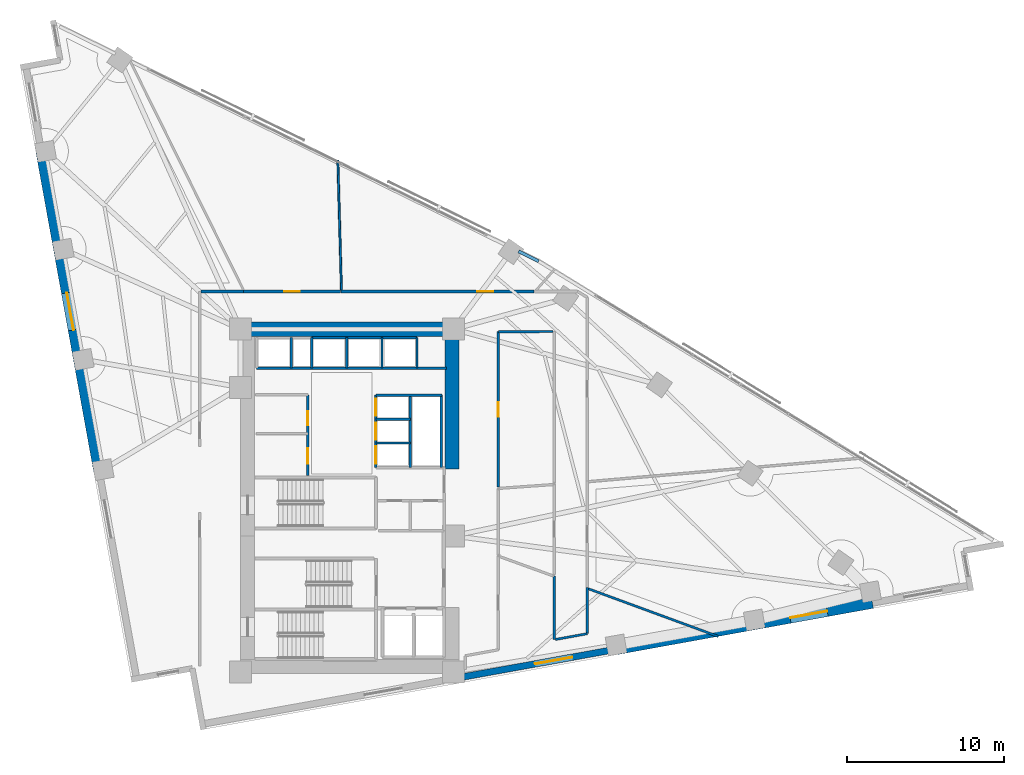
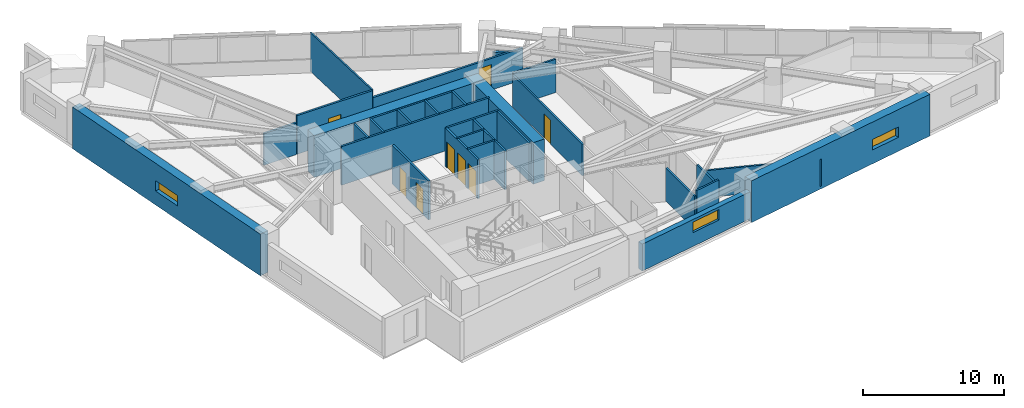
# One storey, part 14 of 18: 30 walls, 8 doors, 3 windows, 11 openings.
"""IFC4 building model written with IfcOpenShell, lengths in metres."""

from ifc_helpers import new_model, si_unit, direction, frame, frame_2d, origin, place, context, subcontext, project, spatial, rectangle, extrude, material, layer, layer_set, type_object, element, fill, save


model = new_model("IFC4")

# Units and contexts
model_context = context("Model", 3, precision=1e-05, world=origin(), true_north=direction((0.0, 1.0)))
body_context = subcontext(model_context, "Body", "Model", "MODEL_VIEW")
ifc_project = project(units=[si_unit("LENGTHUNIT", "METRE"), si_unit("AREAUNIT", "SQUARE_METRE"), si_unit("VOLUMEUNIT", "CUBIC_METRE"), si_unit("PLANEANGLEUNIT", "RADIAN"), si_unit("MASSUNIT", "GRAM", prefix="KILO")], contexts=[model_context])

# Site, building, storey
site_placement = place(None, origin())
site = spatial("IfcSite", under=ifc_project, at=site_placement, CompositionType="ELEMENT")
building_placement = place(site_placement, origin())
building = spatial("IfcBuilding", under=site, at=building_placement, Name="Narakoshi Arena Tower", CompositionType="ELEMENT")
storey_placement = place(building_placement, frame((0.0, 0.0, 120.89990234375)))
storey = spatial("IfcBuildingStorey", under=building, at=storey_placement, Name="L32", CompositionType="ELEMENT", Elevation=120.89990234375)

# Walls
ifc_material_1 = material(Name="Concrete C60/75", Category="concrete")
ifc_layer_1 = layer(ifc_material_1, 0.89990234375)
ifc_layer_set_1 = layer_set([ifc_layer_1], Name="Concrete C60/75")
wall_type_1 = type_object("IfcWallType", Name="WL-CORE-900", PredefinedType="SHEAR", material=ifc_layer_set_1)
wall_1_placement = place(storey_placement, frame((72.0, 56.5, -0.260009765625), z_axis=(0.0, 0.0, 1.0), x_axis=(1.0, 0.0, 0.0)))
element("IfcWall", 1, at=wall_1_placement, inside=storey, type_object=wall_type_1, Name="L32 Main Core Shear Wall CW-MN-N", PredefinedType="SHEAR", context=body_context, shape_type="SweptSolid", body=[
    extrude(rectangle(XDim=13.89990234375, YDim=0.89990234375, at=frame_2d((6.949951171875, 0.0))), origin(), (0.0, 0.0, 1.0), 3.60009765625),
])
wall_2_placement = place(storey_placement, frame((85.449951171875, 47.60009765625, -0.260009765625), z_axis=(0.0, 0.0, 1.0), x_axis=(0.0, 1.0, 0.0)))
element("IfcWall", 2, at=wall_2_placement, inside=storey, type_object=wall_type_1, Name="L32 Main Core Shear Wall CW-MN-E", PredefinedType="SHEAR", context=body_context, shape_type="SweptSolid", body=[
    extrude(rectangle(XDim=8.449951171875, YDim=0.89990234375, at=frame_2d((4.22509765625, 0.0))), origin(), (0.0, 0.0, 1.0), 3.60009765625),
])

# Wall, opening, door
ifc_material_2 = material(Name="Gypsum plasterboard fire-rated partition")
ifc_layer_2 = layer(ifc_material_2, 0.1650390625)
ifc_layer_set_2 = layer_set([ifc_layer_2], Name="Gypsum plasterboard fire-rated partition")
wall_type_2 = type_object("IfcWallType", Name="WL-CORR-165", PredefinedType="PARTITIONING", material=ifc_layer_set_2)
wall_3_placement = place(storey_placement, frame((90.654541015625, 58.89990234375, 0.0), z_axis=(0.0, 0.0, 1.0), x_axis=(-1.0, 0.0, 0.0)))
wall_3 = element("IfcWall", 3, at=wall_3_placement, inside=storey, type_object=wall_type_2, Name="L32 Corridor Partition 07-1", PredefinedType="PARTITIONING", context=body_context, shape_type="SweptSolid", body=[
    extrude(rectangle(XDim=12.272216796875, YDim=0.1650390625, at=frame_2d((6.13623046875, 0.0))), origin(), (0.0, 0.0, 1.0), 2.72509765625),
])
opening_1_placement = place(wall_3_placement, frame((2.591796875, 0.0, 0.0)))
opening_1 = element("IfcOpeningElement", 4, at=opening_1_placement, cuts=wall_3, Name="Opening D-06", PredefinedType="OPENING", context=body_context, shape_type="SweptSolid", body=[
    extrude(rectangle(XDim=1.0, YDim=2.199951171875, at=frame_2d((0.5, 1.10009765625))), frame((0.0, 0.092529296875, 0.0), z_axis=(0.0, -1.0, 0.0), x_axis=(1.0, 0.0, 0.0)), (0.0, 0.0, 1.0), 0.18505859375),
])
ifc_material_3 = material(Name="Stained oak solid-core timber", Category="wood")
door_type_1 = type_object("IfcDoorType", Name="DR-OFF-1000", OperationType="NOTDEFINED", PredefinedType="DOOR", material=ifc_material_3)
door_1_placement = place(opening_1_placement, frame((1.0, 0.0, 0.0), z_axis=(0.0, 0.0, 1.0), x_axis=(-1.0, 0.0, 0.0)))
door_1 = element("IfcDoor", 5, at=door_1_placement, inside=storey, type_object=door_type_1, Name="DR-L32-021", OperationType="SINGLE_SWING_RIGHT", OverallHeight=2.199951171875, OverallWidth=1.0, PredefinedType="DOOR", context=body_context, shape_type="SweptSolid", body=[
    extrude(rectangle(XDim=1.0, YDim=2.199951171875, at=frame_2d((0.5, 1.10009765625))), frame((0.0, 0.02490234375, 0.0), z_axis=(0.0, -1.0, 0.0), x_axis=(1.0, 0.0, 0.0)), (0.0, 0.0, 1.0), 0.050048828125),
])
fill(opening_1, door_1)

wall_4_placement = place(storey_placement, frame((78.3583984375, 58.89990234375, 0.0), z_axis=(0.0, 0.0, 1.0), x_axis=(-1.0, 0.0, 0.0)))
wall_4 = element("IfcWall", 6, at=wall_4_placement, inside=storey, type_object=wall_type_2, Name="L32 Corridor Partition 08-1", PredefinedType="PARTITIONING", context=body_context, shape_type="SweptSolid", body=[
    extrude(rectangle(XDim=6.16162109375, YDim=0.1650390625, at=frame_2d((3.080810546875, 0.0))), origin(), (0.0, 0.0, 1.0), 3.340087890625),
])
opening_2_placement = place(wall_4_placement, frame((2.580810546875, 0.0, 0.0)))
opening_2 = element("IfcOpeningElement", 7, at=opening_2_placement, cuts=wall_4, Name="Opening D-06", PredefinedType="OPENING", context=body_context, shape_type="SweptSolid", body=[
    extrude(rectangle(XDim=1.0, YDim=2.199951171875, at=frame_2d((0.5, 1.10009765625))), frame((0.0, 0.092529296875, 0.0), z_axis=(0.0, -1.0, 0.0), x_axis=(1.0, 0.0, 0.0)), (0.0, 0.0, 1.0), 0.18505859375),
])
door_2_placement = place(opening_2_placement, frame((1.0, 0.0, 0.0), z_axis=(0.0, 0.0, 1.0), x_axis=(-1.0, 0.0, 0.0)))
door_2 = element("IfcDoor", 8, at=door_2_placement, inside=storey, type_object=door_type_1, Name="DR-L32-022", OperationType="SINGLE_SWING_LEFT", OverallHeight=2.199951171875, OverallWidth=1.0, PredefinedType="DOOR", context=body_context, shape_type="SweptSolid", body=[
    extrude(rectangle(XDim=1.0, YDim=2.199951171875, at=frame_2d((0.5, 1.10009765625))), frame((0.0, 0.02490234375, 0.0), z_axis=(0.0, -1.0, 0.0), x_axis=(1.0, 0.0, 0.0)), (0.0, 0.0, 1.0), 0.050048828125),
])
fill(opening_2, door_2)

# Wall
wall_5_placement = place(storey_placement, frame((72.169921875, 58.89990234375, 0.0), z_axis=(0.0, 0.0, 1.0), x_axis=(-1.0, 0.0, 0.0)))
element("IfcWall", 9, at=wall_5_placement, inside=storey, type_object=wall_type_2, Name="L32 Corridor Partition 09-2", PredefinedType="PARTITIONING", context=body_context, shape_type="SweptSolid", body=[
    extrude(rectangle(XDim=2.675537109375, YDim=0.1650390625, at=frame_2d((1.337890625, 0.0))), origin(), (0.0, 0.0, 1.0), 2.72509765625),
])

# Wall, opening, window
ifc_layer_3 = layer(ifc_material_1, 0.699951171875)
ifc_layer_set_3 = layer_set([ifc_layer_3], Name="Concrete C60/75")
wall_type_3 = type_object("IfcWallType", Name="WL-LEG-700", PredefinedType="SHEAR", material=ifc_layer_set_3)
wall_6_placement = place(storey_placement, frame((95.93798828125, 36.14599609375, -0.260009765625), z_axis=(0.0, 0.0, 1.0), x_axis=(0.984038488288, 0.177955762952, 0.0)))
wall_6 = element("IfcWall", 10, at=wall_6_placement, inside=storey, type_object=wall_type_3, Name="L32 Architectural Concrete Structural Wall LEGA-3", PredefinedType="SHEAR", context=body_context, shape_type="SweptSolid", body=[
    extrude(rectangle(XDim=16.524658203125, YDim=0.699951171875, at=frame_2d((8.26220703125, 0.0))), origin(), (0.0, 0.0, 1.0), 3.60009765625),
])
opening_3_placement = place(wall_6_placement, frame((11.199951171875, 0.0, 1.199951171875)))
opening_3 = element("IfcOpeningElement", 11, at=opening_3_placement, cuts=wall_6, Name="Opening WN-01", PredefinedType="OPENING", context=body_context, shape_type="SweptSolid", body=[
    extrude(rectangle(XDim=2.39990234375, YDim=0.89990234375, at=frame_2d((1.199951171875, 0.449951171875))), frame((0.0, 0.35986328125, 0.0), z_axis=(0.0, -1.0, 0.0), x_axis=(1.0, 0.0, 0.0)), (0.0, 0.0, 1.0), 0.719970703125),
])
ifc_material_4 = material(Name="Bronze-tinted low-E laminated glass", Category="glass")
window_type = type_object("IfcWindowType", Name="WIN-SLT-24x09", PartitioningType="SINGLE_PANEL", PredefinedType="WINDOW", material=ifc_material_4)
window_1_placement = place(opening_3_placement, origin())
window_1 = element("IfcWindow", 12, at=window_1_placement, inside=storey, type_object=window_type, Name="L32 LEGA3 Horizontal Slot Window 1", OverallHeight=0.89990234375, OverallWidth=2.39990234375, PartitioningType="SINGLE_PANEL", PredefinedType="WINDOW", context=body_context, shape_type="SweptSolid", body=[
    extrude(rectangle(XDim=2.39990234375, YDim=0.89990234375, at=frame_2d((1.199951171875, 0.449951171875))), frame((0.0, 0.030029296875, 0.0), z_axis=(0.0, -1.0, 0.0), x_axis=(1.0, 0.0, 0.0)), (0.0, 0.0, 1.0), 0.06005859375),
])
fill(opening_3, window_1)

wall_7_placement = place(storey_placement, frame((59.327880859375, 67.767822265625, -0.260009765625), z_axis=(0.0, 0.0, 1.0), x_axis=(0.177933213615, -0.984042565895, 0.0)))
wall_7 = element("IfcWall", 13, at=wall_7_placement, inside=storey, type_object=wall_type_3, Name="L32 Architectural Concrete Structural Wall LEGB-2", PredefinedType="SHEAR", context=body_context, shape_type="SweptSolid", body=[
    extrude(rectangle(XDim=20.57861328125, YDim=0.699951171875, at=frame_2d((10.289306640625, 0.0))), origin(), (0.0, 0.0, 1.0), 3.60009765625),
])
opening_4_placement = place(wall_7_placement, frame((9.10009765625, 0.0, 1.199951171875)))
opening_4 = element("IfcOpeningElement", 14, at=opening_4_placement, cuts=wall_7, Name="Opening WN-01", PredefinedType="OPENING", context=body_context, shape_type="SweptSolid", body=[
    extrude(rectangle(XDim=2.39990234375, YDim=0.89990234375, at=frame_2d((1.199951171875, 0.449951171875))), frame((0.0, 0.35986328125, 0.0), z_axis=(0.0, -1.0, 0.0), x_axis=(1.0, 0.0, 0.0)), (0.0, 0.0, 1.0), 0.719970703125),
])
window_2_placement = place(opening_4_placement, origin())
window_2 = element("IfcWindow", 15, at=window_2_placement, inside=storey, type_object=window_type, Name="L32 LEGB2 Horizontal Slot Window 1", OverallHeight=0.89990234375, OverallWidth=2.39990234375, PartitioningType="SINGLE_PANEL", PredefinedType="WINDOW", context=body_context, shape_type="SweptSolid", body=[
    extrude(rectangle(XDim=2.39990234375, YDim=0.89990234375, at=frame_2d((1.199951171875, 0.449951171875))), frame((0.0, 0.030029296875, 0.0), z_axis=(0.0, -1.0, 0.0), x_axis=(1.0, 0.0, 0.0)), (0.0, 0.0, 1.0), 0.06005859375),
])
fill(opening_4, window_2)

# Walls
ifc_material_5 = material(Name="Precast concrete C45/55", Category="concrete")
ifc_layer_4 = layer(ifc_material_5, 0.25)
ifc_layer_set_4 = layer_set([ifc_layer_4], Name="Precast concrete C45/55")
wall_type_4 = type_object("IfcWallType", Name="WL-PARA-250", PredefinedType="PARAPET", material=ifc_layer_set_4)
wall_8_placement = place(storey_placement, frame((90.96435546875, 60.821533203125, 0.0), z_axis=(0.0, 0.0, 1.0), x_axis=(-0.898000468284, 0.439994498787, 0.0)))
element("IfcWall", 16, at=wall_8_placement, inside=storey, type_object=wall_type_4, Name="L32 Hypotenuse Sill Upstand Parapet 2-01", PredefinedType="PARAPET", context=body_context, shape_type="SweptSolid", body=[
    extrude(rectangle(XDim=1.42333984375, YDim=0.199951171875, at=frame_2d((0.711669921875, 0.0))), origin(), (0.0, 0.0, 1.0), 1.150146484375),
])
ifc_layer_5 = layer(ifc_material_2, 0.125)
ifc_layer_set_5 = layer_set([ifc_layer_5], Name="Gypsum plasterboard fire-rated partition")
wall_type_5 = type_object("IfcWallType", Name="WL-PART-125", PredefinedType="PARTITIONING", material=ifc_layer_set_5)
wall_9_placement = place(storey_placement, frame((78.415771484375, 58.994384765625, 0.0), z_axis=(0.0, 0.0, 1.0), x_axis=(-0.027809677154, 0.999613236135, 0.0)))
element("IfcWall", 17, at=wall_9_placement, inside=storey, type_object=wall_type_5, Name="L32 Inter-Room Partition 07-08", PredefinedType="PARTITIONING", context=body_context, shape_type="SweptSolid", body=[
    extrude(rectangle(XDim=8.269775390625, YDim=0.125, at=frame_2d((4.134765625, 0.0))), origin(), (0.0, 0.0, 1.0), 3.340087890625),
])

# Wall, opening, window
ifc_layer_6 = layer(ifc_material_5, 0.419921875)
ifc_layer_set_6 = layer_set([ifc_layer_6], Name="Precast concrete C45/55")
wall_type_6 = type_object("IfcWallType", Name="WL-POD-420", PredefinedType="SOLIDWALL", material=ifc_layer_set_6)
wall_10_placement = place(storey_placement, frame((86.10009765625, 34.3671875, 0.0), z_axis=(0.0, 0.0, 1.0), x_axis=(0.9840437071, 0.177926902172, 0.0)))
wall_10 = element("IfcWall", 18, at=wall_10_placement, inside=storey, type_object=wall_type_6, Name="L32 Architectural Concrete Facade Wall LEGA-2", PredefinedType="SOLIDWALL", context=body_context, shape_type="SweptSolid", body=[
    extrude(rectangle(XDim=9.997314453125, YDim=0.419921875, at=frame_2d((4.99853515625, 0.0))), origin(), (0.0, 0.0, 1.0), 2.3251953125),
])
opening_5_placement = place(wall_10_placement, frame((4.702392578125, 0.0, 1.199951171875)))
opening_5 = element("IfcOpeningElement", 19, at=opening_5_placement, cuts=wall_10, Name="Opening WN-01", PredefinedType="OPENING", context=body_context, shape_type="SweptSolid", body=[
    extrude(rectangle(XDim=2.39990234375, YDim=0.89990234375, at=frame_2d((1.199951171875, 0.449951171875))), frame((0.0, 0.219970703125, 0.0), z_axis=(0.0, -1.0, 0.0), x_axis=(1.0, 0.0, 0.0)), (0.0, 0.0, 1.0), 0.43994140625),
])
window_3_placement = place(opening_5_placement, origin())
window_3 = element("IfcWindow", 20, at=window_3_placement, inside=storey, type_object=window_type, Name="L32 LEGA2 Horizontal Slot Window 1", OverallHeight=0.89990234375, OverallWidth=2.39990234375, PartitioningType="SINGLE_PANEL", PredefinedType="WINDOW", context=body_context, shape_type="SweptSolid", body=[
    extrude(rectangle(XDim=2.39990234375, YDim=0.89990234375, at=frame_2d((1.199951171875, 0.449951171875))), frame((0.0, 0.030029296875, 0.0), z_axis=(0.0, -1.0, 0.0), x_axis=(1.0, 0.0, 0.0)), (0.0, 0.0, 1.0), 0.06005859375),
])
fill(opening_5, window_3)

# Walls
ifc_material_6 = material(Name="Concrete C40/50", Category="concrete")
ifc_layer_7 = layer(ifc_material_6, 0.280029296875)
ifc_layer_set_7 = layer_set([ifc_layer_7], Name="Concrete C40/50")
wall_type_7 = type_object("IfcWallType", Name="WL-RISER-280", PredefinedType="PLUMBINGWALL", material=ifc_layer_set_7)
for number, where, z_axis, x_axis, name in (
    (21, (80.60009765625, 49.260009765625, 0.0), (0.0, 0.0, 1.0), (1.0, 0.0, 0.0), "L32 Core Wall MR-D1"),
    (22, (80.60009765625, 50.780029296875, 0.0), (0.0, 0.0, 1.0), (1.0, 0.0, 0.0), "L32 Core Wall MR-D2"),
):
    element("IfcWall", number, at=place(storey_placement, frame(where, z_axis=z_axis, x_axis=x_axis)), inside=storey, type_object=wall_type_7, Name=name, PredefinedType="PLUMBINGWALL", context=body_context, shape_type="SweptSolid", body=[
        extrude(rectangle(XDim=2.199951171875, YDim=0.14990234375, at=frame_2d((1.10009765625, 0.0))), origin(), (0.0, 0.0, 1.0), 3.340087890625),
    ])
wall_11_placement = place(storey_placement, frame((82.800048828125, 47.699951171875, 0.0), z_axis=(0.0, 0.0, 1.0), x_axis=(0.0, 1.0, 0.0)))
element("IfcWall", 23, at=wall_11_placement, inside=storey, type_object=wall_type_7, Name="L32 Core Wall MR-E", PredefinedType="PLUMBINGWALL", context=body_context, shape_type="SweptSolid", body=[
    extrude(rectangle(XDim=4.60009765625, YDim=0.14990234375, at=frame_2d((2.300048828125, 0.0))), origin(), (0.0, 0.0, 1.0), 3.340087890625),
])
wall_12_placement = place(storey_placement, frame((75.219970703125, 54.02001953125, 0.0), z_axis=(0.0, 0.0, 1.0), x_axis=(0.0, 1.0, 0.0)))
element("IfcWall", 24, at=wall_12_placement, inside=storey, type_object=wall_type_7, Name="L32 Core Wall OBS-M", PredefinedType="PLUMBINGWALL", context=body_context, shape_type="SweptSolid", body=[
    extrude(rectangle(XDim=1.93994140625, YDim=0.14990234375, at=frame_2d((0.969970703125, 0.0))), origin(), (0.0, 0.0, 1.0), 3.340087890625),
])
for number, where, z_axis, x_axis, name in (
    (25, (78.75, 54.02001953125, 0.0), (0.0, 0.0, 1.0), (0.0, 1.0, 0.0), "L32 Core Wall HR-D1"),
    (26, (81.0, 54.02001953125, 0.0), (0.0, 0.0, 1.0), (0.0, 1.0, 0.0), "L32 Core Wall HR-D2"),
):
    element("IfcWall", number, at=place(storey_placement, frame(where, z_axis=z_axis, x_axis=x_axis)), inside=storey, type_object=wall_type_7, Name=name, PredefinedType="PLUMBINGWALL", context=body_context, shape_type="SweptSolid", body=[
        extrude(rectangle(XDim=1.9599609375, YDim=0.14990234375, at=frame_2d((0.97998046875, 0.0))), origin(), (0.0, 0.0, 1.0), 3.340087890625),
    ])

# Wall, openings, doors
ifc_material_7 = material(Name="Concrete C50/60", Category="concrete")
ifc_layer_8 = layer(ifc_material_7, 0.35009765625)
ifc_layer_set_8 = layer_set([ifc_layer_8], Name="Concrete C50/60")
wall_type_8 = type_object("IfcWallType", Name="WL-SHAFT-350", PredefinedType="SOLIDWALL", material=ifc_layer_set_8)
wall_13_placement = place(storey_placement, frame((76.280029296875, 47.179931640625, 0.0), z_axis=(0.0, 0.0, 1.0), x_axis=(0.0, 1.0, 0.0)))
wall_13 = element("IfcWall", 27, at=wall_13_placement, inside=storey, type_object=wall_type_8, Name="L32 Core Wall LR-E", PredefinedType="SOLIDWALL", context=body_context, shape_type="SweptSolid", body=[
    extrude(rectangle(XDim=5.14013671875, YDim=0.159912109375, at=frame_2d((2.570068359375, 0.0))), origin(), (0.0, 0.0, 1.0), 3.340087890625),
])
opening_6_placement = place(wall_13_placement, frame((0.75, 0.0, 0.0)))
opening_6 = element("IfcOpeningElement", 28, at=opening_6_placement, cuts=wall_13, Name="Opening D-06", PredefinedType="OPENING", context=body_context, shape_type="SweptSolid", body=[
    extrude(rectangle(XDim=1.0, YDim=2.199951171875, at=frame_2d((0.5, 1.10009765625))), frame((0.0, 0.08984375, 0.0), z_axis=(0.0, -1.0, 0.0), x_axis=(1.0, 0.0, 0.0)), (0.0, 0.0, 1.0), 0.179931640625),
])
opening_7_placement = place(wall_13_placement, frame((3.199951171875, 0.0, 0.0)))
opening_7 = element("IfcOpeningElement", 29, at=opening_7_placement, cuts=wall_13, Name="Opening D-08", PredefinedType="OPENING", context=body_context, shape_type="SweptSolid", body=[
    extrude(rectangle(XDim=0.89990234375, YDim=2.10009765625, at=frame_2d((0.449951171875, 1.050048828125))), frame((0.0, 0.08984375, 0.0), z_axis=(0.0, -1.0, 0.0), x_axis=(1.0, 0.0, 0.0)), (0.0, 0.0, 1.0), 0.179931640625),
])
door_3_placement = place(opening_6_placement, frame((1.0, 0.0, 0.0), z_axis=(0.0, 0.0, 1.0), x_axis=(-1.0, 0.0, 0.0)))
door_3 = element("IfcDoor", 30, at=door_3_placement, inside=storey, type_object=door_type_1, Name="DR-L32-010", OperationType="SINGLE_SWING_LEFT", OverallHeight=2.199951171875, OverallWidth=1.0, PredefinedType="DOOR", context=body_context, shape_type="SweptSolid", body=[
    extrude(rectangle(XDim=1.0, YDim=2.199951171875, at=frame_2d((0.5, 1.10009765625))), frame((0.0, 0.02490234375, 0.0), z_axis=(0.0, -1.0, 0.0), x_axis=(1.0, 0.0, 0.0)), (0.0, 0.0, 1.0), 0.050048828125),
])
fill(opening_6, door_3)
ifc_material_8 = material(Name="Moisture-resistant laminate timber", Category="wood")
door_type_2 = type_object("IfcDoorType", Name="DR-WC-900", OperationType="NOTDEFINED", PredefinedType="DOOR", material=ifc_material_8)
door_4_placement = place(opening_7_placement, frame((0.89990234375, 0.0, 0.0), z_axis=(0.0, 0.0, 1.0), x_axis=(-1.0, 0.0, 0.0)))
door_4 = element("IfcDoor", 31, at=door_4_placement, inside=storey, type_object=door_type_2, Name="DR-L32-011", OperationType="SINGLE_SWING_RIGHT", OverallHeight=2.10009765625, OverallWidth=0.89990234375, PredefinedType="DOOR", context=body_context, shape_type="SweptSolid", body=[
    extrude(rectangle(XDim=0.89990234375, YDim=2.10009765625, at=frame_2d((0.449951171875, 1.050048828125))), frame((0.0, 0.02490234375, 0.0), z_axis=(0.0, -1.0, 0.0), x_axis=(1.0, 0.0, 0.0)), (0.0, 0.0, 1.0), 0.050048828125),
])
fill(opening_7, door_4)

wall_14_placement = place(storey_placement, frame((80.60009765625, 47.699951171875, 0.0), z_axis=(0.0, 0.0, 1.0), x_axis=(0.0, 1.0, 0.0)))
wall_14 = element("IfcWall", 32, at=wall_14_placement, inside=storey, type_object=wall_type_8, Name="L32 Core Wall MR-W", PredefinedType="SOLIDWALL", context=body_context, shape_type="SweptSolid", body=[
    extrude(rectangle(XDim=4.60009765625, YDim=0.159912109375, at=frame_2d((2.300048828125, 0.0))), origin(), (0.0, 0.0, 1.0), 3.340087890625),
])
opening_8_placement = place(wall_14_placement, frame((0.239990234375, 0.0, 0.0)))
opening_8 = element("IfcOpeningElement", 33, at=opening_8_placement, cuts=wall_14, Name="Opening LD-01", PredefinedType="OPENING", context=body_context, shape_type="SweptSolid", body=[
    extrude(rectangle(XDim=1.10009765625, YDim=2.25, at=frame_2d((0.550048828125, 1.125))), frame((0.0, 0.08984375, 0.0), z_axis=(0.0, -1.0, 0.0), x_axis=(1.0, 0.0, 0.0)), (0.0, 0.0, 1.0), 0.179931640625),
])
opening_9_placement = place(wall_14_placement, frame((1.760009765625, 0.0, 0.0)))
opening_9 = element("IfcOpeningElement", 34, at=opening_9_placement, cuts=wall_14, Name="Opening LD-01", PredefinedType="OPENING", context=body_context, shape_type="SweptSolid", body=[
    extrude(rectangle(XDim=1.10009765625, YDim=2.25, at=frame_2d((0.550048828125, 1.125))), frame((0.0, 0.08984375, 0.0), z_axis=(0.0, -1.0, 0.0), x_axis=(1.0, 0.0, 0.0)), (0.0, 0.0, 1.0), 0.179931640625),
])
opening_10_placement = place(wall_14_placement, frame((3.280029296875, 0.0, 0.0)))
opening_10 = element("IfcOpeningElement", 35, at=opening_10_placement, cuts=wall_14, Name="Opening LD-01", PredefinedType="OPENING", context=body_context, shape_type="SweptSolid", body=[
    extrude(rectangle(XDim=1.10009765625, YDim=2.25, at=frame_2d((0.550048828125, 1.125))), frame((0.0, 0.08984375, 0.0), z_axis=(0.0, -1.0, 0.0), x_axis=(1.0, 0.0, 0.0)), (0.0, 0.0, 1.0), 0.179931640625),
])
ifc_material_9 = material(Name="Brushed bronze stainless steel", Category="steel")
door_type_3 = type_object("IfcDoorType", Name="DR-LFT-1100", OperationType="DOUBLE_DOOR_SLIDING", PredefinedType="DOOR", material=ifc_material_9)
door_5_placement = place(opening_8_placement, frame((1.10009765625, 0.0, 0.0), z_axis=(0.0, 0.0, 1.0), x_axis=(-1.0, 0.0, 0.0)))
door_5 = element("IfcDoor", 36, at=door_5_placement, inside=storey, type_object=door_type_3, Name="DR-L32-012", OperationType="DOUBLE_DOOR_SLIDING", OverallHeight=2.25, OverallWidth=1.10009765625, PredefinedType="DOOR", context=body_context, shape_type="SweptSolid", body=[
    extrude(rectangle(XDim=1.10009765625, YDim=2.25, at=frame_2d((0.550048828125, 1.125))), frame((0.0, 0.02490234375, 0.0), z_axis=(0.0, -1.0, 0.0), x_axis=(1.0, 0.0, 0.0)), (0.0, 0.0, 1.0), 0.050048828125),
])
fill(opening_8, door_5)
door_6_placement = place(opening_9_placement, frame((1.10009765625, 0.0, 0.0), z_axis=(0.0, 0.0, 1.0), x_axis=(-1.0, 0.0, 0.0)))
door_6 = element("IfcDoor", 37, at=door_6_placement, inside=storey, type_object=door_type_3, Name="DR-L32-013", OperationType="DOUBLE_DOOR_SLIDING", OverallHeight=2.25, OverallWidth=1.10009765625, PredefinedType="DOOR", context=body_context, shape_type="SweptSolid", body=[
    extrude(rectangle(XDim=1.10009765625, YDim=2.25, at=frame_2d((0.550048828125, 1.125))), frame((0.0, 0.02490234375, 0.0), z_axis=(0.0, -1.0, 0.0), x_axis=(1.0, 0.0, 0.0)), (0.0, 0.0, 1.0), 0.050048828125),
])
fill(opening_9, door_6)
door_7_placement = place(opening_10_placement, frame((1.10009765625, 0.0, 0.0), z_axis=(0.0, 0.0, 1.0), x_axis=(-1.0, 0.0, 0.0)))
door_7 = element("IfcDoor", 38, at=door_7_placement, inside=storey, type_object=door_type_3, Name="DR-L32-014", OperationType="DOUBLE_DOOR_SLIDING", OverallHeight=2.25, OverallWidth=1.10009765625, PredefinedType="DOOR", context=body_context, shape_type="SweptSolid", body=[
    extrude(rectangle(XDim=1.10009765625, YDim=2.25, at=frame_2d((0.550048828125, 1.125))), frame((0.0, 0.02490234375, 0.0), z_axis=(0.0, -1.0, 0.0), x_axis=(1.0, 0.0, 0.0)), (0.0, 0.0, 1.0), 0.050048828125),
])
fill(opening_10, door_7)

# Walls
wall_15_placement = place(storey_placement, frame((80.60009765625, 52.300048828125, 0.0), z_axis=(0.0, 0.0, 1.0), x_axis=(1.0, 0.0, 0.0)))
element("IfcWall", 39, at=wall_15_placement, inside=storey, type_object=wall_type_8, Name="L32 Core Wall MR-N", PredefinedType="SOLIDWALL", context=body_context, shape_type="SweptSolid", body=[
    extrude(rectangle(XDim=4.219970703125, YDim=0.159912109375, at=frame_2d((2.10986328125, 0.0))), origin(), (0.0, 0.0, 1.0), 3.340087890625),
])
wall_16_placement = place(storey_placement, frame((84.780029296875, 47.699951171875, 0.0), z_axis=(0.0, 0.0, 1.0), x_axis=(0.0, 1.0, 0.0)))
element("IfcWall", 40, at=wall_16_placement, inside=storey, type_object=wall_type_8, Name="L32 Core Wall MR-E2", PredefinedType="SOLIDWALL", context=body_context, shape_type="SweptSolid", body=[
    extrude(rectangle(XDim=4.60009765625, YDim=0.159912109375, at=frame_2d((2.300048828125, 0.0))), origin(), (0.0, 0.0, 1.0), 3.340087890625),
])
wall_17_placement = place(storey_placement, frame((73.02001953125, 54.02001953125, 0.0), z_axis=(0.0, 0.0, 1.0), x_axis=(1.0, 0.0, 0.0)))
element("IfcWall", 41, at=wall_17_placement, inside=storey, type_object=wall_type_8, Name="L32 Core Wall NSHF-S", PredefinedType="SOLIDWALL", context=body_context, shape_type="SweptSolid", body=[
    extrude(rectangle(XDim=12.080078125, YDim=0.159912109375, at=frame_2d((6.0400390625, 0.0))), origin(), (0.0, 0.0, 1.0), 3.340087890625),
])
wall_18_placement = place(storey_placement, frame((76.52001953125, 54.02001953125, 0.0), z_axis=(0.0, 0.0, 1.0), x_axis=(0.0, 1.0, 0.0)))
element("IfcWall", 42, at=wall_18_placement, inside=storey, type_object=wall_type_8, Name="L32 Core Wall OBS-E", PredefinedType="SOLIDWALL", context=body_context, shape_type="SweptSolid", body=[
    extrude(rectangle(XDim=1.93994140625, YDim=0.14990234375, at=frame_2d((0.969970703125, 0.0))), origin(), (0.0, 0.0, 1.0), 3.340087890625),
])
wall_19_placement = place(storey_placement, frame((83.219970703125, 54.02001953125, 0.0), z_axis=(0.0, 0.0, 1.0), x_axis=(0.0, 1.0, 0.0)))
element("IfcWall", 43, at=wall_19_placement, inside=storey, type_object=wall_type_8, Name="L32 Core Wall HR-E", PredefinedType="SOLIDWALL", context=body_context, shape_type="SweptSolid", body=[
    extrude(rectangle(XDim=1.9599609375, YDim=0.14990234375, at=frame_2d((0.97998046875, 0.0))), origin(), (0.0, 0.0, 1.0), 3.340087890625),
])
wall_20_placement = place(storey_placement, frame((76.52001953125, 55.9599609375, 0.0), z_axis=(0.0, 0.0, 1.0), x_axis=(1.0, 0.0, 0.0)))
element("IfcWall", 44, at=wall_20_placement, inside=storey, type_object=wall_type_8, Name="L32 Core Wall HR-N", PredefinedType="SOLIDWALL", context=body_context, shape_type="SweptSolid", body=[
    extrude(rectangle(XDim=6.699951171875, YDim=0.14990234375, at=frame_2d((3.35009765625, 0.0))), origin(), (0.0, 0.0, 1.0), 3.340087890625),
])
ifc_material_10 = material(Name="Moisture-resistant cement-board partition")
ifc_layer_9 = layer(ifc_material_10, 0.14501953125)
ifc_layer_set_9 = layer_set([ifc_layer_9], Name="Moisture-resistant cement-board partition")
wall_type_9 = type_object("IfcWallType", Name="WL-WET-145", PredefinedType="PARTITIONING", material=ifc_layer_set_9)
wall_21_placement = place(storey_placement, frame((91.949951171875, 40.81396484375, 0.0), z_axis=(0.0, 0.0, 1.0), x_axis=(0.0, -1.0, 0.0)))
element("IfcWall", 45, at=wall_21_placement, inside=storey, type_object=wall_type_9, Name="L32 Corridor Partition 02-2", PredefinedType="PARTITIONING", context=body_context, shape_type="SweptSolid", body=[
    extrude(rectangle(XDim=4.06787109375, YDim=0.14501953125, at=frame_2d((2.033935546875, 0.0))), origin(), (0.0, 0.0, 1.0), 2.875),
])
wall_22_placement = place(storey_placement, frame((94.050048828125, 37.125732421875, 0.0), z_axis=(0.0, 0.0, 1.0), x_axis=(0.0, 1.0, 0.0)))
element("IfcWall", 46, at=wall_22_placement, inside=storey, type_object=wall_type_9, Name="L32 Corridor Partition 02-3", PredefinedType="PARTITIONING", context=body_context, shape_type="SweptSolid", body=[
    extrude(rectangle(XDim=2.926025390625, YDim=0.14501953125, at=frame_2d((1.462890625, 0.0))), origin(), (0.0, 0.0, 1.0), 2.875),
])
wall_23_placement = place(storey_placement, frame((92.034423828125, 36.76123046875, 0.0), z_axis=(0.0, 0.0, 1.0), x_axis=(0.984039194934, 0.177951855382, 0.0)))
element("IfcWall", 47, at=wall_23_placement, inside=storey, type_object=wall_type_9, Name="L32 Corridor Partition 02-4", PredefinedType="PARTITIONING", context=body_context, shape_type="SweptSolid", body=[
    extrude(rectangle(XDim=2.04833984375, YDim=0.14501953125, at=frame_2d((1.024169921875, 0.0))), origin(), (0.0, 0.0, 1.0), 3.340087890625),
])
wall_24_placement = place(storey_placement, frame((94.134521484375, 39.982421875, 0.0), z_axis=(0.0, 0.0, 1.0), x_axis=(0.938707581667, -0.344714484931, 0.0)))
element("IfcWall", 48, at=wall_24_placement, inside=storey, type_object=wall_type_9, Name="L32 Inter-Room Partition 02-04", PredefinedType="PARTITIONING", context=body_context, shape_type="SweptSolid", body=[
    extrude(rectangle(XDim=8.7822265625, YDim=0.14501953125, at=frame_2d((4.39111328125, 0.0))), origin(), (0.0, 0.0, 1.0), 2.3251953125),
])

# Wall, opening, door
wall_25_placement = place(storey_placement, frame((88.39990234375, 46.45361328125, 0.0), z_axis=(0.0, 0.0, 1.0), x_axis=(0.0, 1.0, 0.0)))
wall_25 = element("IfcWall", 49, at=wall_25_placement, inside=storey, type_object=wall_type_9, Name="L32 Corridor Partition 06-1", PredefinedType="PARTITIONING", context=body_context, shape_type="SweptSolid", body=[
    extrude(rectangle(XDim=9.88427734375, YDim=0.14501953125, at=frame_2d((4.942138671875, 0.0))), origin(), (0.0, 0.0, 1.0), 2.72509765625),
])
opening_11_placement = place(wall_25_placement, frame((4.4921875, 0.0, 0.0)))
opening_11 = element("IfcOpeningElement", 50, at=opening_11_placement, cuts=wall_25, Name="Opening D-08", PredefinedType="OPENING", context=body_context, shape_type="SweptSolid", body=[
    extrude(rectangle(XDim=0.89990234375, YDim=2.10009765625, at=frame_2d((0.449951171875, 1.050048828125))), frame((0.0, 0.08251953125, 0.0), z_axis=(0.0, -1.0, 0.0), x_axis=(1.0, 0.0, 0.0)), (0.0, 0.0, 1.0), 0.1650390625),
])
door_8_placement = place(opening_11_placement, frame((0.89990234375, 0.0, 0.0), z_axis=(0.0, 0.0, 1.0), x_axis=(-1.0, 0.0, 0.0)))
door_8 = element("IfcDoor", 51, at=door_8_placement, inside=storey, type_object=door_type_2, Name="DR-L32-020", OperationType="SINGLE_SWING_LEFT", OverallHeight=2.10009765625, OverallWidth=0.89990234375, PredefinedType="DOOR", context=body_context, shape_type="SweptSolid", body=[
    extrude(rectangle(XDim=0.89990234375, YDim=2.10009765625, at=frame_2d((0.449951171875, 1.050048828125))), frame((0.0, 0.02490234375, 0.0), z_axis=(0.0, -1.0, 0.0), x_axis=(1.0, 0.0, 0.0)), (0.0, 0.0, 1.0), 0.050048828125),
])
fill(opening_11, door_8)

# Wall
wall_26_placement = place(storey_placement, frame((88.39990234375, 56.337890625, 0.0), z_axis=(0.0, 0.0, 1.0), x_axis=(0.999994282871, 0.003381453017, 0.0)))
element("IfcWall", 52, at=wall_26_placement, inside=storey, type_object=wall_type_9, Name="L32 Corridor Partition 06-3", PredefinedType="PARTITIONING", context=body_context, shape_type="SweptSolid", body=[
    extrude(rectangle(XDim=3.465576171875, YDim=0.14501953125, at=frame_2d((1.73291015625, 0.0))), origin(), (0.0, 0.0, 1.0), 2.875),
])

save(model, "model.ifc")
